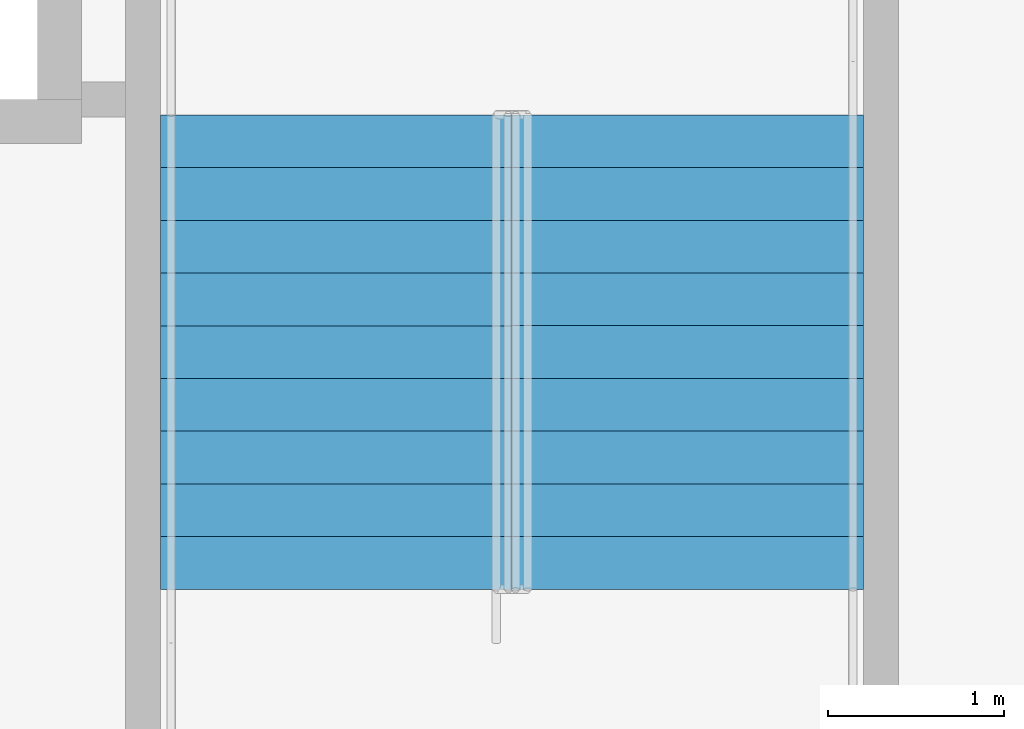
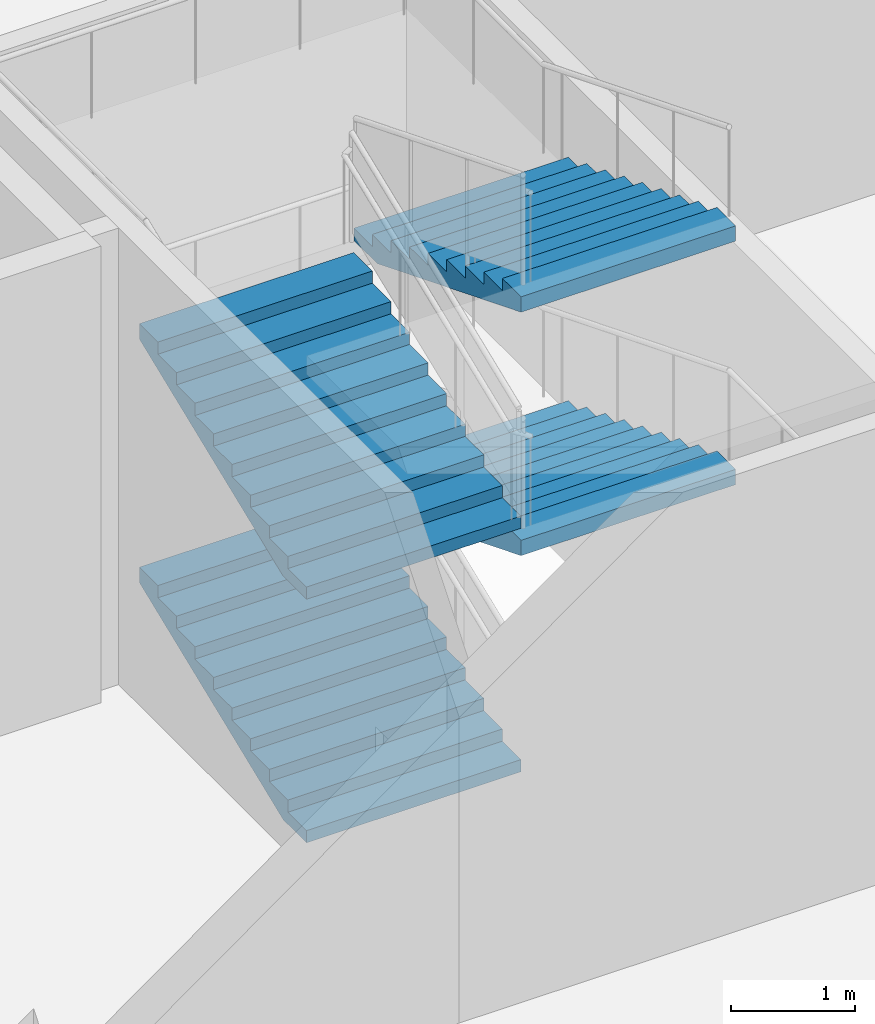
# One storey, part 10 of 13: 4 stair flights, 1 element without a shape of its own.
"""IFC4 building model written with IfcOpenShell, lengths in metres."""

from ifc_helpers import new_model, si_unit, direction, frame, origin, place, context, subcontext, project, spatial, faceted_brep, material, type_object, element, aggregate, save


model = new_model("IFC4")

# Units and contexts
model_context = context("Model", 3, precision=1e-05, world=origin(), true_north=direction((0.0, 1.0)))
body_context = subcontext(model_context, "Body", "Model", "MODEL_VIEW")
ifc_project = project(units=[si_unit("LENGTHUNIT", "METRE"), si_unit("AREAUNIT", "SQUARE_METRE"), si_unit("VOLUMEUNIT", "CUBIC_METRE"), si_unit("PLANEANGLEUNIT", "RADIAN"), si_unit("MASSUNIT", "GRAM", prefix="KILO")], contexts=[model_context])

# Site, building, storey
site_placement = place(None, origin())
site = spatial("IfcSite", under=ifc_project, at=site_placement, CompositionType="ELEMENT")
building_placement = place(site_placement, origin())
building = spatial("IfcBuilding", under=site, at=building_placement, Name="Rulbaag Community and Learning Centre", CompositionType="ELEMENT")
storey_placement = place(building_placement, frame((0.0, 0.0, -4.800048828125)))
storey = spatial("IfcBuildingStorey", under=building, at=storey_placement, Name="B1", CompositionType="ELEMENT", Elevation=-4.800048828125)

# Stair, stair flights
ifc_material = material(Name="Concrete M40", Category="concrete")
stair_type = type_object("IfcStairType", Name="ST-2000 STAIR 2000 WIDE", PredefinedType="HALF_TURN_STAIR", material=ifc_material)
stair_placement = place(storey_placement, origin())
stair = element("IfcStair", 1, at=stair_placement, inside=storey, type_object=stair_type, Name="Stair ST-H3 B1", PredefinedType="HALF_TURN_STAIR")
stair_flight_type = type_object("IfcStairFlightType", Name="FL-2000 FLIGHT 2000 WIDE Concrete M40", PredefinedType="STRAIGHT", material=ifc_material)
stair_flight_1_placement = place(storey_placement, frame((131.300048828125, 44.71240234375, 0.0), z_axis=(0.0, 0.0, 1.0), x_axis=(0.0, 1.0, 0.0)))
stair_flight_1 = element("IfcStairFlight", 2, at=stair_flight_1_placement, type_object=stair_flight_type, Name="ST-H3 flight 1", NumberOfRisers=10, NumberOfTreads=9, PredefinedType="STRAIGHT", RiserHeight=0.12, TreadLength=0.3, context=body_context, shape_type="Brep", body=[
    faceted_brep([(0.376708984375, -1.0, 0.0), (2.699951171875, -1.0, 0.929443359375), (2.699951171875, -1.0, 1.080078125), (2.39990234375, -1.0, 1.080078125), (2.39990234375, -1.0, 0.9599609375), (2.10009765625, -1.0, 0.9599609375), (2.10009765625, -1.0, 0.840087890625), (1.800048828125, -1.0, 0.840087890625), (1.800048828125, -1.0, 0.719970703125), (1.5, -1.0, 0.719970703125), (1.5, -1.0, 0.60009765625), (1.199951171875, -1.0, 0.60009765625), (1.199951171875, -1.0, 0.47998046875), (0.89990234375, -1.0, 0.47998046875), (0.89990234375, -1.0, 0.360107421875), (0.60009765625, -1.0, 0.360107421875), (0.60009765625, -1.0, 0.239990234375), (0.300048828125, -1.0, 0.239990234375), (0.300048828125, -1.0, 0.1201171875), (0.0, -1.0, 0.1201171875), (0.0, -1.0, 0.0), (0.0, 1.0, 0.0), (0.0, 1.0, 0.1201171875), (0.300048828125, 1.0, 0.1201171875), (0.300048828125, 1.0, 0.239990234375), (0.60009765625, 1.0, 0.239990234375), (0.60009765625, 1.0, 0.360107421875), (0.89990234375, 1.0, 0.360107421875), (0.89990234375, 1.0, 0.47998046875), (1.199951171875, 1.0, 0.47998046875), (1.199951171875, 1.0, 0.60009765625), (1.5, 1.0, 0.60009765625), (1.5, 1.0, 0.719970703125), (1.800048828125, 1.0, 0.719970703125), (1.800048828125, 1.0, 0.840087890625), (2.10009765625, 1.0, 0.840087890625), (2.10009765625, 1.0, 0.9599609375), (2.39990234375, 1.0, 0.9599609375), (2.39990234375, 1.0, 1.080078125), (2.699951171875, 1.0, 1.080078125), (2.699951171875, 1.0, 0.929443359375), (0.376708984375, 1.0, 0.0), (0.0, -0.333251953125, 0.1201171875), (0.0, -0.333251953125, 0.0), (0.0, 0.333251953125, 0.1201171875), (0.0, 0.333251953125, 0.0), (0.300048828125, -0.333251953125, 0.1201171875), (0.300048828125, 0.333251953125, 0.1201171875), (0.300048828125, -0.333251953125, 0.239990234375), (0.300048828125, 0.333251953125, 0.239990234375), (0.60009765625, -0.333251953125, 0.239990234375), (0.60009765625, 0.333251953125, 0.239990234375), (0.60009765625, -0.333251953125, 0.360107421875), (0.60009765625, 0.333251953125, 0.360107421875), (0.89990234375, -0.333251953125, 0.360107421875), (0.89990234375, 0.333251953125, 0.360107421875), (0.89990234375, -0.333251953125, 0.47998046875), (0.89990234375, 0.333251953125, 0.47998046875), (1.199951171875, -0.333251953125, 0.47998046875), (1.199951171875, 0.333251953125, 0.47998046875), (1.199951171875, -0.333251953125, 0.60009765625), (1.199951171875, 0.333251953125, 0.60009765625), (1.5, -0.333251953125, 0.60009765625), (1.5, 0.333251953125, 0.60009765625), (1.5, -0.333251953125, 0.719970703125), (1.5, 0.333251953125, 0.719970703125), (1.800048828125, -0.333251953125, 0.719970703125), (1.800048828125, 0.333251953125, 0.719970703125), (1.800048828125, -0.333251953125, 0.840087890625), (1.800048828125, 0.333251953125, 0.840087890625), (2.10009765625, -0.333251953125, 0.840087890625), (2.10009765625, 0.333251953125, 0.840087890625), (2.10009765625, -0.333251953125, 0.9599609375), (2.10009765625, 0.333251953125, 0.9599609375), (2.39990234375, -0.333251953125, 0.9599609375), (2.39990234375, 0.333251953125, 0.9599609375), (2.39990234375, -0.333251953125, 1.080078125), (2.39990234375, 0.333251953125, 1.080078125), (2.699951171875, -0.333251953125, 1.080078125), (2.699951171875, 0.333251953125, 1.080078125), (2.699951171875, -0.333251953125, 0.929443359375), (2.699951171875, 0.333251953125, 0.929443359375), (0.376708984375, -0.333251953125, 0.0), (0.376708984375, 0.333251953125, 0.0)], [[[0, 1, 2, 3, 4, 5, 6, 7, 8, 9, 10, 11, 12, 13, 14, 15, 16, 17, 18, 19, 20]], [[21, 22, 23, 24, 25, 26, 27, 28, 29, 30, 31, 32, 33, 34, 35, 36, 37, 38, 39, 40, 41]], [[20, 19, 42, 43]], [[43, 42, 44, 45]], [[45, 44, 22, 21]], [[19, 18, 46, 42]], [[42, 46, 47, 44]], [[44, 47, 23, 22]], [[18, 17, 48, 46]], [[46, 48, 49, 47]], [[47, 49, 24, 23]], [[17, 16, 50, 48]], [[48, 50, 51, 49]], [[49, 51, 25, 24]], [[16, 15, 52, 50]], [[50, 52, 53, 51]], [[51, 53, 26, 25]], [[15, 14, 54, 52]], [[52, 54, 55, 53]], [[53, 55, 27, 26]], [[14, 13, 56, 54]], [[54, 56, 57, 55]], [[55, 57, 28, 27]], [[13, 12, 58, 56]], [[56, 58, 59, 57]], [[57, 59, 29, 28]], [[12, 11, 60, 58]], [[58, 60, 61, 59]], [[59, 61, 30, 29]], [[11, 10, 62, 60]], [[60, 62, 63, 61]], [[61, 63, 31, 30]], [[10, 9, 64, 62]], [[62, 64, 65, 63]], [[63, 65, 32, 31]], [[9, 8, 66, 64]], [[64, 66, 67, 65]], [[65, 67, 33, 32]], [[8, 7, 68, 66]], [[66, 68, 69, 67]], [[67, 69, 34, 33]], [[7, 6, 70, 68]], [[68, 70, 71, 69]], [[69, 71, 35, 34]], [[6, 5, 72, 70]], [[70, 72, 73, 71]], [[71, 73, 36, 35]], [[5, 4, 74, 72]], [[72, 74, 75, 73]], [[73, 75, 37, 36]], [[4, 3, 76, 74]], [[74, 76, 77, 75]], [[75, 77, 38, 37]], [[3, 2, 78, 76]], [[76, 78, 79, 77]], [[77, 79, 39, 38]], [[2, 1, 80, 78]], [[78, 80, 81, 79]], [[79, 81, 40, 39]], [[1, 0, 82, 80]], [[80, 82, 83, 81]], [[81, 83, 41, 40]], [[0, 20, 43, 82]], [[82, 43, 45, 83]], [[83, 45, 21, 41]]]),
])
stair_flight_2_placement = place(storey_placement, frame((133.300048828125, 47.41259765625, 1.199951171875), z_axis=(0.0, 0.0, 1.0), x_axis=(0.0, -1.0, 0.0)))
stair_flight_2 = element("IfcStairFlight", 3, at=stair_flight_2_placement, type_object=stair_flight_type, Name="ST-H3 flight 2", NumberOfRisers=10, NumberOfTreads=9, PredefinedType="STRAIGHT", RiserHeight=0.12, TreadLength=0.3, context=body_context, shape_type="Brep", body=[
    faceted_brep([(0.376708984375, -1.0, 0.0), (2.699951171875, -1.0, 0.929443359375), (2.699951171875, -1.0, 1.080078125), (2.39990234375, -1.0, 1.080078125), (2.39990234375, -1.0, 0.9599609375), (2.10009765625, -1.0, 0.9599609375), (2.10009765625, -1.0, 0.840087890625), (1.800048828125, -1.0, 0.840087890625), (1.800048828125, -1.0, 0.719970703125), (1.5, -1.0, 0.719970703125), (1.5, -1.0, 0.60009765625), (1.199951171875, -1.0, 0.60009765625), (1.199951171875, -1.0, 0.47998046875), (0.89990234375, -1.0, 0.47998046875), (0.89990234375, -1.0, 0.360107421875), (0.60009765625, -1.0, 0.360107421875), (0.60009765625, -1.0, 0.239990234375), (0.300048828125, -1.0, 0.239990234375), (0.300048828125, -1.0, 0.1201171875), (0.0, -1.0, 0.1201171875), (0.0, -1.0, 0.0), (0.0, 1.0, 0.0), (0.0, 1.0, 0.1201171875), (0.300048828125, 1.0, 0.1201171875), (0.300048828125, 1.0, 0.239990234375), (0.60009765625, 1.0, 0.239990234375), (0.60009765625, 1.0, 0.360107421875), (0.89990234375, 1.0, 0.360107421875), (0.89990234375, 1.0, 0.47998046875), (1.199951171875, 1.0, 0.47998046875), (1.199951171875, 1.0, 0.60009765625), (1.5, 1.0, 0.60009765625), (1.5, 1.0, 0.719970703125), (1.800048828125, 1.0, 0.719970703125), (1.800048828125, 1.0, 0.840087890625), (2.10009765625, 1.0, 0.840087890625), (2.10009765625, 1.0, 0.9599609375), (2.39990234375, 1.0, 0.9599609375), (2.39990234375, 1.0, 1.080078125), (2.699951171875, 1.0, 1.080078125), (2.699951171875, 1.0, 0.929443359375), (0.376708984375, 1.0, 0.0), (0.0, -0.333251953125, 0.1201171875), (0.0, -0.333251953125, 0.0), (0.0, 0.333251953125, 0.1201171875), (0.0, 0.333251953125, 0.0), (0.300048828125, -0.333251953125, 0.1201171875), (0.300048828125, 0.333251953125, 0.1201171875), (0.300048828125, -0.333251953125, 0.239990234375), (0.300048828125, 0.333251953125, 0.239990234375), (0.60009765625, -0.333251953125, 0.239990234375), (0.60009765625, 0.333251953125, 0.239990234375), (0.60009765625, -0.333251953125, 0.360107421875), (0.60009765625, 0.333251953125, 0.360107421875), (0.89990234375, -0.333251953125, 0.360107421875), (0.89990234375, 0.333251953125, 0.360107421875), (0.89990234375, -0.333251953125, 0.47998046875), (0.89990234375, 0.333251953125, 0.47998046875), (1.199951171875, -0.333251953125, 0.47998046875), (1.199951171875, 0.333251953125, 0.47998046875), (1.199951171875, -0.333251953125, 0.60009765625), (1.199951171875, 0.333251953125, 0.60009765625), (1.5, -0.333251953125, 0.60009765625), (1.5, 0.333251953125, 0.60009765625), (1.5, -0.333251953125, 0.719970703125), (1.5, 0.333251953125, 0.719970703125), (1.800048828125, -0.333251953125, 0.719970703125), (1.800048828125, 0.333251953125, 0.719970703125), (1.800048828125, -0.333251953125, 0.840087890625), (1.800048828125, 0.333251953125, 0.840087890625), (2.10009765625, -0.333251953125, 0.840087890625), (2.10009765625, 0.333251953125, 0.840087890625), (2.10009765625, -0.333251953125, 0.9599609375), (2.10009765625, 0.333251953125, 0.9599609375), (2.39990234375, -0.333251953125, 0.9599609375), (2.39990234375, 0.333251953125, 0.9599609375), (2.39990234375, -0.333251953125, 1.080078125), (2.39990234375, 0.333251953125, 1.080078125), (2.699951171875, -0.333251953125, 1.080078125), (2.699951171875, 0.333251953125, 1.080078125), (2.699951171875, -0.333251953125, 0.929443359375), (2.699951171875, 0.333251953125, 0.929443359375), (0.376708984375, -0.333251953125, 0.0), (0.376708984375, 0.333251953125, 0.0)], [[[0, 1, 2, 3, 4, 5, 6, 7, 8, 9, 10, 11, 12, 13, 14, 15, 16, 17, 18, 19, 20]], [[21, 22, 23, 24, 25, 26, 27, 28, 29, 30, 31, 32, 33, 34, 35, 36, 37, 38, 39, 40, 41]], [[20, 19, 42, 43]], [[43, 42, 44, 45]], [[45, 44, 22, 21]], [[19, 18, 46, 42]], [[42, 46, 47, 44]], [[44, 47, 23, 22]], [[18, 17, 48, 46]], [[46, 48, 49, 47]], [[47, 49, 24, 23]], [[17, 16, 50, 48]], [[48, 50, 51, 49]], [[49, 51, 25, 24]], [[16, 15, 52, 50]], [[50, 52, 53, 51]], [[51, 53, 26, 25]], [[15, 14, 54, 52]], [[52, 54, 55, 53]], [[53, 55, 27, 26]], [[14, 13, 56, 54]], [[54, 56, 57, 55]], [[55, 57, 28, 27]], [[13, 12, 58, 56]], [[56, 58, 59, 57]], [[57, 59, 29, 28]], [[12, 11, 60, 58]], [[58, 60, 61, 59]], [[59, 61, 30, 29]], [[11, 10, 62, 60]], [[60, 62, 63, 61]], [[61, 63, 31, 30]], [[10, 9, 64, 62]], [[62, 64, 65, 63]], [[63, 65, 32, 31]], [[9, 8, 66, 64]], [[64, 66, 67, 65]], [[65, 67, 33, 32]], [[8, 7, 68, 66]], [[66, 68, 69, 67]], [[67, 69, 34, 33]], [[7, 6, 70, 68]], [[68, 70, 71, 69]], [[69, 71, 35, 34]], [[6, 5, 72, 70]], [[70, 72, 73, 71]], [[71, 73, 36, 35]], [[5, 4, 74, 72]], [[72, 74, 75, 73]], [[73, 75, 37, 36]], [[4, 3, 76, 74]], [[74, 76, 77, 75]], [[75, 77, 38, 37]], [[3, 2, 78, 76]], [[76, 78, 79, 77]], [[77, 79, 39, 38]], [[2, 1, 80, 78]], [[78, 80, 81, 79]], [[79, 81, 40, 39]], [[1, 0, 82, 80]], [[80, 82, 83, 81]], [[81, 83, 41, 40]], [[0, 20, 43, 82]], [[82, 43, 45, 83]], [[83, 45, 21, 41]]]),
])
stair_flight_3_placement = place(storey_placement, frame((131.300048828125, 44.71240234375, 2.400146484375), z_axis=(0.0, 0.0, 1.0), x_axis=(0.0, 1.0, 0.0)))
stair_flight_3 = element("IfcStairFlight", 4, at=stair_flight_3_placement, type_object=stair_flight_type, Name="ST-H3 flight 3", NumberOfRisers=10, NumberOfTreads=9, PredefinedType="STRAIGHT", RiserHeight=0.12, TreadLength=0.3, context=body_context, shape_type="Brep", body=[
    faceted_brep([(0.376708984375, -1.0, 0.0), (2.699951171875, -1.0, 0.929443359375), (2.699951171875, -1.0, 1.080078125), (2.39990234375, -1.0, 1.080078125), (2.39990234375, -1.0, 0.9599609375), (2.10009765625, -1.0, 0.9599609375), (2.10009765625, -1.0, 0.840087890625), (1.800048828125, -1.0, 0.840087890625), (1.800048828125, -1.0, 0.719970703125), (1.5, -1.0, 0.719970703125), (1.5, -1.0, 0.60009765625), (1.199951171875, -1.0, 0.60009765625), (1.199951171875, -1.0, 0.47998046875), (0.89990234375, -1.0, 0.47998046875), (0.89990234375, -1.0, 0.360107421875), (0.60009765625, -1.0, 0.360107421875), (0.60009765625, -1.0, 0.239990234375), (0.300048828125, -1.0, 0.239990234375), (0.300048828125, -1.0, 0.1201171875), (0.0, -1.0, 0.1201171875), (0.0, -1.0, 0.0), (0.0, 1.0, 0.0), (0.0, 1.0, 0.1201171875), (0.300048828125, 1.0, 0.1201171875), (0.300048828125, 1.0, 0.239990234375), (0.60009765625, 1.0, 0.239990234375), (0.60009765625, 1.0, 0.360107421875), (0.89990234375, 1.0, 0.360107421875), (0.89990234375, 1.0, 0.47998046875), (1.199951171875, 1.0, 0.47998046875), (1.199951171875, 1.0, 0.60009765625), (1.5, 1.0, 0.60009765625), (1.5, 1.0, 0.719970703125), (1.800048828125, 1.0, 0.719970703125), (1.800048828125, 1.0, 0.840087890625), (2.10009765625, 1.0, 0.840087890625), (2.10009765625, 1.0, 0.9599609375), (2.39990234375, 1.0, 0.9599609375), (2.39990234375, 1.0, 1.080078125), (2.699951171875, 1.0, 1.080078125), (2.699951171875, 1.0, 0.929443359375), (0.376708984375, 1.0, 0.0), (0.0, -0.333251953125, 0.1201171875), (0.0, -0.333251953125, 0.0), (0.0, 0.333251953125, 0.1201171875), (0.0, 0.333251953125, 0.0), (0.300048828125, -0.333251953125, 0.1201171875), (0.300048828125, 0.333251953125, 0.1201171875), (0.300048828125, -0.333251953125, 0.239990234375), (0.300048828125, 0.333251953125, 0.239990234375), (0.60009765625, -0.333251953125, 0.239990234375), (0.60009765625, 0.333251953125, 0.239990234375), (0.60009765625, -0.333251953125, 0.360107421875), (0.60009765625, 0.333251953125, 0.360107421875), (0.89990234375, -0.333251953125, 0.360107421875), (0.89990234375, 0.333251953125, 0.360107421875), (0.89990234375, -0.333251953125, 0.47998046875), (0.89990234375, 0.333251953125, 0.47998046875), (1.199951171875, -0.333251953125, 0.47998046875), (1.199951171875, 0.333251953125, 0.47998046875), (1.199951171875, -0.333251953125, 0.60009765625), (1.199951171875, 0.333251953125, 0.60009765625), (1.5, -0.333251953125, 0.60009765625), (1.5, 0.333251953125, 0.60009765625), (1.5, -0.333251953125, 0.719970703125), (1.5, 0.333251953125, 0.719970703125), (1.800048828125, -0.333251953125, 0.719970703125), (1.800048828125, 0.333251953125, 0.719970703125), (1.800048828125, -0.333251953125, 0.840087890625), (1.800048828125, 0.333251953125, 0.840087890625), (2.10009765625, -0.333251953125, 0.840087890625), (2.10009765625, 0.333251953125, 0.840087890625), (2.10009765625, -0.333251953125, 0.9599609375), (2.10009765625, 0.333251953125, 0.9599609375), (2.39990234375, -0.333251953125, 0.9599609375), (2.39990234375, 0.333251953125, 0.9599609375), (2.39990234375, -0.333251953125, 1.080078125), (2.39990234375, 0.333251953125, 1.080078125), (2.699951171875, -0.333251953125, 1.080078125), (2.699951171875, 0.333251953125, 1.080078125), (2.699951171875, -0.333251953125, 0.929443359375), (2.699951171875, 0.333251953125, 0.929443359375), (0.376708984375, -0.333251953125, 0.0), (0.376708984375, 0.333251953125, 0.0)], [[[0, 1, 2, 3, 4, 5, 6, 7, 8, 9, 10, 11, 12, 13, 14, 15, 16, 17, 18, 19, 20]], [[21, 22, 23, 24, 25, 26, 27, 28, 29, 30, 31, 32, 33, 34, 35, 36, 37, 38, 39, 40, 41]], [[20, 19, 42, 43]], [[43, 42, 44, 45]], [[45, 44, 22, 21]], [[19, 18, 46, 42]], [[42, 46, 47, 44]], [[44, 47, 23, 22]], [[18, 17, 48, 46]], [[46, 48, 49, 47]], [[47, 49, 24, 23]], [[17, 16, 50, 48]], [[48, 50, 51, 49]], [[49, 51, 25, 24]], [[16, 15, 52, 50]], [[50, 52, 53, 51]], [[51, 53, 26, 25]], [[15, 14, 54, 52]], [[52, 54, 55, 53]], [[53, 55, 27, 26]], [[14, 13, 56, 54]], [[54, 56, 57, 55]], [[55, 57, 28, 27]], [[13, 12, 58, 56]], [[56, 58, 59, 57]], [[57, 59, 29, 28]], [[12, 11, 60, 58]], [[58, 60, 61, 59]], [[59, 61, 30, 29]], [[11, 10, 62, 60]], [[60, 62, 63, 61]], [[61, 63, 31, 30]], [[10, 9, 64, 62]], [[62, 64, 65, 63]], [[63, 65, 32, 31]], [[9, 8, 66, 64]], [[64, 66, 67, 65]], [[65, 67, 33, 32]], [[8, 7, 68, 66]], [[66, 68, 69, 67]], [[67, 69, 34, 33]], [[7, 6, 70, 68]], [[68, 70, 71, 69]], [[69, 71, 35, 34]], [[6, 5, 72, 70]], [[70, 72, 73, 71]], [[71, 73, 36, 35]], [[5, 4, 74, 72]], [[72, 74, 75, 73]], [[73, 75, 37, 36]], [[4, 3, 76, 74]], [[74, 76, 77, 75]], [[75, 77, 38, 37]], [[3, 2, 78, 76]], [[76, 78, 79, 77]], [[77, 79, 39, 38]], [[2, 1, 80, 78]], [[78, 80, 81, 79]], [[79, 81, 40, 39]], [[1, 0, 82, 80]], [[80, 82, 83, 81]], [[81, 83, 41, 40]], [[0, 20, 43, 82]], [[82, 43, 45, 83]], [[83, 45, 21, 41]]]),
])
stair_flight_4_placement = place(storey_placement, frame((133.300048828125, 47.41259765625, 3.60009765625), z_axis=(0.0, 0.0, 1.0), x_axis=(0.0, -1.0, 0.0)))
stair_flight_4 = element("IfcStairFlight", 5, at=stair_flight_4_placement, type_object=stair_flight_type, Name="ST-H3 flight 4", NumberOfRisers=10, NumberOfTreads=9, PredefinedType="STRAIGHT", RiserHeight=0.12, TreadLength=0.3, context=body_context, shape_type="Brep", body=[
    faceted_brep([(0.376708984375, -1.0, 0.0), (2.699951171875, -1.0, 0.929443359375), (2.699951171875, -1.0, 1.080078125), (2.39990234375, -1.0, 1.080078125), (2.39990234375, -1.0, 0.9599609375), (2.10009765625, -1.0, 0.9599609375), (2.10009765625, -1.0, 0.840087890625), (1.800048828125, -1.0, 0.840087890625), (1.800048828125, -1.0, 0.719970703125), (1.5, -1.0, 0.719970703125), (1.5, -1.0, 0.60009765625), (1.199951171875, -1.0, 0.60009765625), (1.199951171875, -1.0, 0.47998046875), (0.89990234375, -1.0, 0.47998046875), (0.89990234375, -1.0, 0.360107421875), (0.60009765625, -1.0, 0.360107421875), (0.60009765625, -1.0, 0.239990234375), (0.300048828125, -1.0, 0.239990234375), (0.300048828125, -1.0, 0.1201171875), (0.0, -1.0, 0.1201171875), (0.0, -1.0, 0.0), (0.0, 1.0, 0.0), (0.0, 1.0, 0.1201171875), (0.300048828125, 1.0, 0.1201171875), (0.300048828125, 1.0, 0.239990234375), (0.60009765625, 1.0, 0.239990234375), (0.60009765625, 1.0, 0.360107421875), (0.89990234375, 1.0, 0.360107421875), (0.89990234375, 1.0, 0.47998046875), (1.199951171875, 1.0, 0.47998046875), (1.199951171875, 1.0, 0.60009765625), (1.5, 1.0, 0.60009765625), (1.5, 1.0, 0.719970703125), (1.800048828125, 1.0, 0.719970703125), (1.800048828125, 1.0, 0.840087890625), (2.10009765625, 1.0, 0.840087890625), (2.10009765625, 1.0, 0.9599609375), (2.39990234375, 1.0, 0.9599609375), (2.39990234375, 1.0, 1.080078125), (2.699951171875, 1.0, 1.080078125), (2.699951171875, 1.0, 0.929443359375), (0.376708984375, 1.0, 0.0), (0.0, -0.333251953125, 0.1201171875), (0.0, -0.333251953125, 0.0), (0.0, 0.333251953125, 0.1201171875), (0.0, 0.333251953125, 0.0), (0.300048828125, -0.333251953125, 0.1201171875), (0.300048828125, 0.333251953125, 0.1201171875), (0.300048828125, -0.333251953125, 0.239990234375), (0.300048828125, 0.333251953125, 0.239990234375), (0.60009765625, -0.333251953125, 0.239990234375), (0.60009765625, 0.333251953125, 0.239990234375), (0.60009765625, -0.333251953125, 0.360107421875), (0.60009765625, 0.333251953125, 0.360107421875), (0.89990234375, -0.333251953125, 0.360107421875), (0.89990234375, 0.333251953125, 0.360107421875), (0.89990234375, -0.333251953125, 0.47998046875), (0.89990234375, 0.333251953125, 0.47998046875), (1.199951171875, -0.333251953125, 0.47998046875), (1.199951171875, 0.333251953125, 0.47998046875), (1.199951171875, -0.333251953125, 0.60009765625), (1.199951171875, 0.333251953125, 0.60009765625), (1.5, -0.333251953125, 0.60009765625), (1.5, 0.333251953125, 0.60009765625), (1.5, -0.333251953125, 0.719970703125), (1.5, 0.333251953125, 0.719970703125), (1.800048828125, -0.333251953125, 0.719970703125), (1.800048828125, 0.333251953125, 0.719970703125), (1.800048828125, -0.333251953125, 0.840087890625), (1.800048828125, 0.333251953125, 0.840087890625), (2.10009765625, -0.333251953125, 0.840087890625), (2.10009765625, 0.333251953125, 0.840087890625), (2.10009765625, -0.333251953125, 0.9599609375), (2.10009765625, 0.333251953125, 0.9599609375), (2.39990234375, -0.333251953125, 0.9599609375), (2.39990234375, 0.333251953125, 0.9599609375), (2.39990234375, -0.333251953125, 1.080078125), (2.39990234375, 0.333251953125, 1.080078125), (2.699951171875, -0.333251953125, 1.080078125), (2.699951171875, 0.333251953125, 1.080078125), (2.699951171875, -0.333251953125, 0.929443359375), (2.699951171875, 0.333251953125, 0.929443359375), (0.376708984375, -0.333251953125, 0.0), (0.376708984375, 0.333251953125, 0.0)], [[[0, 1, 2, 3, 4, 5, 6, 7, 8, 9, 10, 11, 12, 13, 14, 15, 16, 17, 18, 19, 20]], [[21, 22, 23, 24, 25, 26, 27, 28, 29, 30, 31, 32, 33, 34, 35, 36, 37, 38, 39, 40, 41]], [[20, 19, 42, 43]], [[43, 42, 44, 45]], [[45, 44, 22, 21]], [[19, 18, 46, 42]], [[42, 46, 47, 44]], [[44, 47, 23, 22]], [[18, 17, 48, 46]], [[46, 48, 49, 47]], [[47, 49, 24, 23]], [[17, 16, 50, 48]], [[48, 50, 51, 49]], [[49, 51, 25, 24]], [[16, 15, 52, 50]], [[50, 52, 53, 51]], [[51, 53, 26, 25]], [[15, 14, 54, 52]], [[52, 54, 55, 53]], [[53, 55, 27, 26]], [[14, 13, 56, 54]], [[54, 56, 57, 55]], [[55, 57, 28, 27]], [[13, 12, 58, 56]], [[56, 58, 59, 57]], [[57, 59, 29, 28]], [[12, 11, 60, 58]], [[58, 60, 61, 59]], [[59, 61, 30, 29]], [[11, 10, 62, 60]], [[60, 62, 63, 61]], [[61, 63, 31, 30]], [[10, 9, 64, 62]], [[62, 64, 65, 63]], [[63, 65, 32, 31]], [[9, 8, 66, 64]], [[64, 66, 67, 65]], [[65, 67, 33, 32]], [[8, 7, 68, 66]], [[66, 68, 69, 67]], [[67, 69, 34, 33]], [[7, 6, 70, 68]], [[68, 70, 71, 69]], [[69, 71, 35, 34]], [[6, 5, 72, 70]], [[70, 72, 73, 71]], [[71, 73, 36, 35]], [[5, 4, 74, 72]], [[72, 74, 75, 73]], [[73, 75, 37, 36]], [[4, 3, 76, 74]], [[74, 76, 77, 75]], [[75, 77, 38, 37]], [[3, 2, 78, 76]], [[76, 78, 79, 77]], [[77, 79, 39, 38]], [[2, 1, 80, 78]], [[78, 80, 81, 79]], [[79, 81, 40, 39]], [[1, 0, 82, 80]], [[80, 82, 83, 81]], [[81, 83, 41, 40]], [[0, 20, 43, 82]], [[82, 43, 45, 83]], [[83, 45, 21, 41]]]),
])
aggregate(stair, [stair_flight_1, stair_flight_2, stair_flight_3, stair_flight_4])

save(model, "model.ifc")
